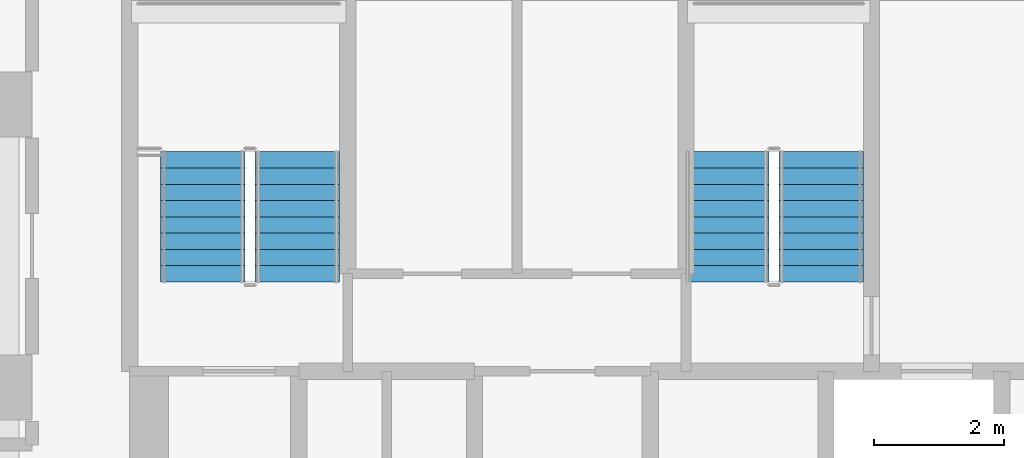
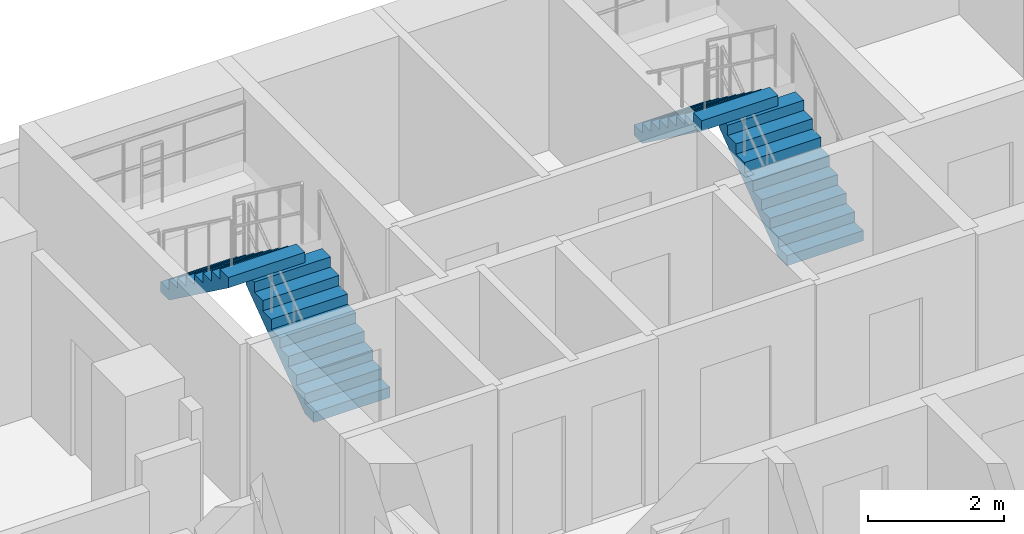
# One storey, part 9 of 14: 4 stair flights, 2 elements without a shape of their own.
"""IFC4 building model written with IfcOpenShell, lengths in metres."""

from ifc_helpers import new_model, si_unit, direction, frame, origin, place, context, subcontext, project, spatial, polyline, outline, extrude, material, type_object, element, aggregate, save


model = new_model("IFC4")

# Units and contexts
model_context = context("Model", 3, precision=1e-05, world=origin(), true_north=direction((0.0, 1.0)))
body_context = subcontext(model_context, "Body", "Model", "MODEL_VIEW")
ifc_project = project(units=[si_unit("LENGTHUNIT", "METRE"), si_unit("AREAUNIT", "SQUARE_METRE"), si_unit("VOLUMEUNIT", "CUBIC_METRE"), si_unit("PLANEANGLEUNIT", "RADIAN"), si_unit("MASSUNIT", "GRAM", prefix="KILO")], contexts=[model_context])

# Site, building, storey
site_placement = place(None, origin())
site = spatial("IfcSite", under=ifc_project, at=site_placement, CompositionType="ELEMENT")
building_placement = place(site_placement, origin())
building = spatial("IfcBuilding", under=site, at=building_placement, Name="Nakaniwa Court", CompositionType="ELEMENT")
storey_placement = place(building_placement, frame((0.0, 0.0, 117.300048828125)))
storey = spatial("IfcBuildingStorey", under=building, at=storey_placement, Name="L31", CompositionType="ELEMENT", Elevation=117.300048828125)

# Stair, stair flights
ifc_material = material(Name="Concrete C80/100", Category="concrete")
stair_type = type_object("IfcStairType", Name="Dog leg stair 1300 wide 18 risers", PredefinedType="HALF_TURN_STAIR", material=ifc_material)
stair_1_placement = place(storey_placement, origin())
stair_1 = element("IfcStair", 1, at=stair_1_placement, inside=storey, type_object=stair_type, Name="L31 Stair ST1", PredefinedType="HALF_TURN_STAIR")
stair_flight_type = type_object("IfcStairFlightType", Name="Stair flight 1300 wide 9 risers", PredefinedType="STRAIGHT", material=ifc_material)
stair_flight_1_placement = place(storey_placement, frame((74.574951171875, 98.27490234375, 0.0), z_axis=(0.0, 0.0, 1.0), x_axis=(0.0, 1.0, 0.0)))
stair_flight_1 = element("IfcStairFlight", 2, at=stair_flight_1_placement, type_object=stair_flight_type, Name="ST1 flight 1", NumberOfRisers=9, NumberOfTreads=8, PredefinedType="STRAIGHT", RiserHeight=0.183333333, TreadLength=0.25, context=body_context, shape_type="SweptSolid", body=[
    extrude(outline(polyline([(0.0, 0.0), (0.0, 0.026123046875), (0.0, 0.052490234375), (0.0, 0.07861328125), (0.0, 0.104736328125), (0.0, 0.130859375), (0.0, 0.1572265625), (0.0, 0.183349609375), (0.25, 0.183349609375), (0.25, 0.36669921875), (0.5, 0.36669921875), (0.5, 0.550048828125), (0.75, 0.550048828125), (0.75, 0.7333984375), (1.0, 0.7333984375), (1.0, 0.916748046875), (1.25, 0.916748046875), (1.25, 1.10009765625), (1.5, 1.10009765625), (1.5, 1.283447265625), (1.75, 1.283447265625), (1.75, 1.466552734375), (2.0, 1.466552734375), (2.0, 1.64990234375), (2.0, 1.59716796875), (2.0, 1.54443359375), (2.0, 1.49169921875), (2.0, 1.43896484375), (2.0, 1.38623046875), (2.0, 1.33349609375), (2.0, 1.28076171875), (0.25341796875, 0.0), (0.0, 0.0)])), frame((0.0, 0.64990234375, 0.0), z_axis=(0.0, -1.0, 0.0), x_axis=(1.0, 0.0, 0.0)), (0.0, 0.0, 1.0), 1.300048828125),
])
stair_flight_2_placement = place(storey_placement, frame((73.125, 100.27490234375, 1.64990234375), z_axis=(0.0, 0.0, 1.0), x_axis=(0.0, -1.0, 0.0)))
stair_flight_2 = element("IfcStairFlight", 3, at=stair_flight_2_placement, type_object=stair_flight_type, Name="ST1 flight 2", NumberOfRisers=9, NumberOfTreads=8, PredefinedType="STRAIGHT", RiserHeight=0.183333333, TreadLength=0.25, context=body_context, shape_type="SweptSolid", body=[
    extrude(outline(polyline([(0.0, 0.0), (0.0, 0.026123046875), (0.0, 0.052490234375), (0.0, 0.07861328125), (0.0, 0.104736328125), (0.0, 0.130859375), (0.0, 0.1572265625), (0.0, 0.183349609375), (0.25, 0.183349609375), (0.25, 0.36669921875), (0.5, 0.36669921875), (0.5, 0.550048828125), (0.75, 0.550048828125), (0.75, 0.7333984375), (1.0, 0.7333984375), (1.0, 0.916748046875), (1.25, 0.916748046875), (1.25, 1.10009765625), (1.5, 1.10009765625), (1.5, 1.283447265625), (1.75, 1.283447265625), (1.75, 1.466552734375), (2.0, 1.466552734375), (2.0, 1.64990234375), (2.0, 1.59716796875), (2.0, 1.54443359375), (2.0, 1.49169921875), (2.0, 1.43896484375), (2.0, 1.38623046875), (2.0, 1.33349609375), (2.0, 1.28076171875), (0.25341796875, 0.0), (0.0, 0.0)])), frame((0.0, 0.64990234375, 0.0), z_axis=(0.0, -1.0, 0.0), x_axis=(1.0, 0.0, 0.0)), (0.0, 0.0, 1.0), 1.300048828125),
])
aggregate(stair_1, [stair_flight_1, stair_flight_2])

stair_2_placement = place(storey_placement, origin())
stair_2 = element("IfcStair", 4, at=stair_2_placement, inside=storey, type_object=stair_type, Name="L31 Stair ST2", PredefinedType="HALF_TURN_STAIR")
stair_flight_3_placement = place(storey_placement, frame((82.625, 98.27490234375, 0.0), z_axis=(0.0, 0.0, 1.0), x_axis=(0.0, 1.0, 0.0)))
stair_flight_3 = element("IfcStairFlight", 5, at=stair_flight_3_placement, type_object=stair_flight_type, Name="ST2 flight 1", NumberOfRisers=9, NumberOfTreads=8, PredefinedType="STRAIGHT", RiserHeight=0.183333333, TreadLength=0.25, context=body_context, shape_type="SweptSolid", body=[
    extrude(outline(polyline([(0.0, 0.0), (0.0, 0.026123046875), (0.0, 0.052490234375), (0.0, 0.07861328125), (0.0, 0.104736328125), (0.0, 0.130859375), (0.0, 0.1572265625), (0.0, 0.183349609375), (0.25, 0.183349609375), (0.25, 0.36669921875), (0.5, 0.36669921875), (0.5, 0.550048828125), (0.75, 0.550048828125), (0.75, 0.7333984375), (1.0, 0.7333984375), (1.0, 0.916748046875), (1.25, 0.916748046875), (1.25, 1.10009765625), (1.5, 1.10009765625), (1.5, 1.283447265625), (1.75, 1.283447265625), (1.75, 1.466552734375), (2.0, 1.466552734375), (2.0, 1.64990234375), (2.0, 1.59716796875), (2.0, 1.54443359375), (2.0, 1.49169921875), (2.0, 1.43896484375), (2.0, 1.38623046875), (2.0, 1.33349609375), (2.0, 1.28076171875), (0.25341796875, 0.0), (0.0, 0.0)])), frame((0.0, 0.64990234375, 0.0), z_axis=(0.0, -1.0, 0.0), x_axis=(1.0, 0.0, 0.0)), (0.0, 0.0, 1.0), 1.300048828125),
])
stair_flight_4_placement = place(storey_placement, frame((81.175048828125, 100.27490234375, 1.64990234375), z_axis=(0.0, 0.0, 1.0), x_axis=(0.0, -1.0, 0.0)))
stair_flight_4 = element("IfcStairFlight", 6, at=stair_flight_4_placement, type_object=stair_flight_type, Name="ST2 flight 2", NumberOfRisers=9, NumberOfTreads=8, PredefinedType="STRAIGHT", RiserHeight=0.183333333, TreadLength=0.25, context=body_context, shape_type="SweptSolid", body=[
    extrude(outline(polyline([(0.0, 0.0), (0.0, 0.026123046875), (0.0, 0.052490234375), (0.0, 0.07861328125), (0.0, 0.104736328125), (0.0, 0.130859375), (0.0, 0.1572265625), (0.0, 0.183349609375), (0.25, 0.183349609375), (0.25, 0.36669921875), (0.5, 0.36669921875), (0.5, 0.550048828125), (0.75, 0.550048828125), (0.75, 0.7333984375), (1.0, 0.7333984375), (1.0, 0.916748046875), (1.25, 0.916748046875), (1.25, 1.10009765625), (1.5, 1.10009765625), (1.5, 1.283447265625), (1.75, 1.283447265625), (1.75, 1.466552734375), (2.0, 1.466552734375), (2.0, 1.64990234375), (2.0, 1.59716796875), (2.0, 1.54443359375), (2.0, 1.49169921875), (2.0, 1.43896484375), (2.0, 1.38623046875), (2.0, 1.33349609375), (2.0, 1.28076171875), (0.25341796875, 0.0), (0.0, 0.0)])), frame((0.0, 0.64990234375, 0.0), z_axis=(0.0, -1.0, 0.0), x_axis=(1.0, 0.0, 0.0)), (0.0, 0.0, 1.0), 1.300048828125),
])
aggregate(stair_2, [stair_flight_3, stair_flight_4])

save(model, "model.ifc")
